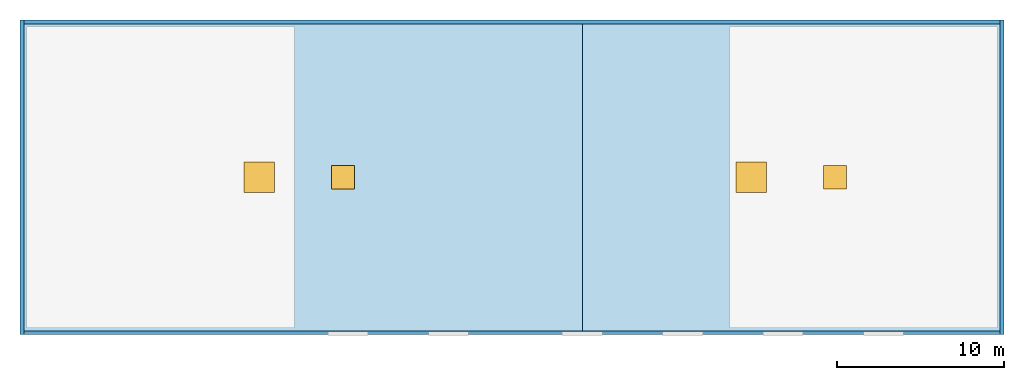
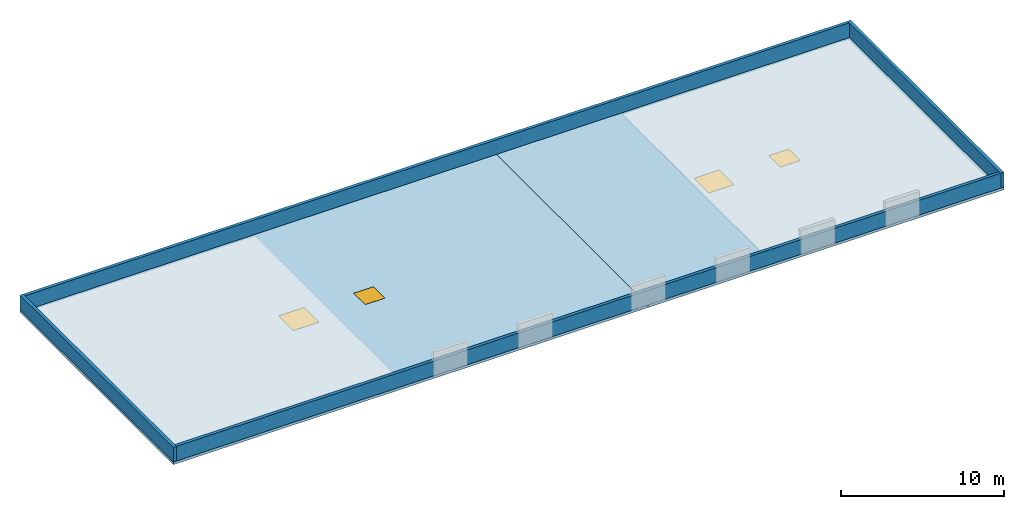
"""IFC4 building model written with IfcOpenShell, lengths in metres."""

from ifc_helpers import new_model, si_unit, direction, frame, frame_2d, origin, origin_2d, place, context, subcontext, project, spatial, polyline, rectangle, outline, extrude, material, layer, layer_set, type_object, element, fill, save


model = new_model("IFC4")

# Units and contexts
model_context = context("Model", 3, precision=1e-05, world=origin(), true_north=direction((0.0, 1.0)))
body_context = subcontext(model_context, "Body", "Model", "MODEL_VIEW")
ifc_project = project(units=[si_unit("LENGTHUNIT", "METRE"), si_unit("AREAUNIT", "SQUARE_METRE"), si_unit("VOLUMEUNIT", "CUBIC_METRE"), si_unit("PLANEANGLEUNIT", "RADIAN"), si_unit("MASSUNIT", "GRAM", prefix="KILO")], contexts=[model_context])

# Site, building, storey
site_placement = place(None, origin())
site = spatial("IfcSite", under=ifc_project, at=site_placement, CompositionType="ELEMENT")
building_placement = place(site_placement, origin())
building = spatial("IfcBuilding", under=site, at=building_placement, Name="Kenerak Square Central Library", CompositionType="ELEMENT")
storey_1_placement = place(building_placement, frame((0.0, 0.0, 32.320068359375)))
storey_1 = spatial("IfcBuildingStorey", under=building, at=storey_1_placement, Name="RF", CompositionType="ELEMENT", Elevation=32.320068359375)

# Slab, openings
ifc_material_1 = material(Name="Concrete C40/50", Category="concrete")
ifc_layer_1 = layer(ifc_material_1, 0.199951171875)
ifc_layer_set_1 = layer_set([ifc_layer_1], Name="Concrete C40/50")
slab_type = type_object("IfcSlabType", Name="Heavyweight Stack Flat Roof Slab RS-200 C40/50", PredefinedType="ROOF", material=ifc_layer_set_1)
slab_1_placement = place(storey_1_placement, frame((0.0, 0.0, -0.199951171875)))
slab_1 = element("IfcSlab", 1, at=slab_1_placement, inside=storey_1, type_object=slab_type, Name="Main Stack Roof Deck Panel RF-01", PredefinedType="ROOF", context=body_context, shape_type="SweptSolid", body=[
    extrude(outline(polyline([(58.39990234375, 91.60009765625), (92.0, 91.60009765625), (92.0, 110.39990234375), (58.39990234375, 110.39990234375), (58.39990234375, 91.60009765625)])), origin(), (0.0, 0.0, 1.0), 0.199951171875),
])
opening_1_placement = place(slab_1_placement, frame((72.699951171875, 101.0, 0.0)))
opening_1 = element("IfcOpeningElement", 2, at=opening_1_placement, cuts=slab_1, Name="Opening SK-01", PredefinedType="OPENING", context=body_context, shape_type="SweptSolid", body=[
    extrude(rectangle(XDim=1.800048828125, YDim=1.800048828125, at=origin_2d()), frame((0.0, 0.0, -0.010009765625)), (0.0, 0.0, 1.0), 0.219970703125),
])
opening_2_placement = place(slab_1_placement, frame((77.699951171875, 101.0, 0.0)))
opening_2 = element("IfcOpeningElement", 3, at=opening_2_placement, cuts=slab_1, Name="Opening SK-03", PredefinedType="OPENING", context=body_context, shape_type="SweptSolid", body=[
    extrude(rectangle(XDim=1.39990234375, YDim=1.39990234375, at=origin_2d()), frame((0.0, 0.0, -0.010009765625)), (0.0, 0.0, 1.0), 0.219970703125),
])

# Storey
storey_2_placement = place(building_placement, frame((0.0, 0.0, 27.840087890625)))
storey_2 = spatial("IfcBuildingStorey", under=building, at=storey_2_placement, Name="L06", CompositionType="ELEMENT", Elevation=27.840087890625)

# Window
ifc_material_2 = material(Name="Solar-control low-E laminated double glazing", Category="glass")
window_type_1 = type_object("IfcWindowType", Name="Flat Roof Daylight Skylight SK-01 1800x1800", PartitioningType="SINGLE_PANEL", PredefinedType="SKYLIGHT", material=ifc_material_2)
window_1_placement = place(opening_1_placement, frame((0.0, 0.0, 0.14990234375)))
window_1 = element("IfcWindow", 4, at=window_1_placement, inside=storey_2, type_object=window_type_1, Name="Roof Skylight 01", OverallHeight=1.800048828125, OverallWidth=1.800048828125, PartitioningType="SINGLE_PANEL", PredefinedType="SKYLIGHT", context=body_context, shape_type="SweptSolid", body=[
    extrude(rectangle(XDim=1.800048828125, YDim=1.800048828125, at=origin_2d()), origin(), (0.0, 0.0, 1.0), 0.050048828125),
])

fill(opening_1, window_1)

window_type_2 = type_object("IfcWindowType", Name="Smoke-Vent Curb Rooflight SK-03 1400x1400", PartitioningType="SINGLE_PANEL", PredefinedType="LIGHTDOME", material=ifc_material_2)
window_2_placement = place(opening_2_placement, frame((0.0, 0.0, 0.14990234375)))
window_2 = element("IfcWindow", 5, at=window_2_placement, inside=storey_2, type_object=window_type_2, Name="Smoke-Vent Rooflight 01", OverallHeight=1.39990234375, OverallWidth=1.39990234375, PartitioningType="SINGLE_PANEL", PredefinedType="LIGHTDOME", context=body_context, shape_type="SweptSolid", body=[
    extrude(rectangle(XDim=1.39990234375, YDim=1.39990234375, at=origin_2d()), origin(), (0.0, 0.0, 1.0), 0.050048828125),
])

fill(opening_2, window_2)

# Slab, openings, windows
slab_2_placement = place(storey_1_placement, frame((0.0, 0.0, -0.199951171875)))
slab_2 = element("IfcSlab", 6, at=slab_2_placement, inside=storey_1, type_object=slab_type, Name="Main Stack Roof Deck Panel RF-02", PredefinedType="ROOF", context=body_context, shape_type="SweptSolid", body=[
    extrude(outline(polyline([(92.0, 91.60009765625), (117.199951171875, 91.60009765625), (117.199951171875, 110.39990234375), (92.0, 110.39990234375), (92.0, 91.60009765625)])), origin(), (0.0, 0.0, 1.0), 0.199951171875),
])
opening_3_placement = place(slab_2_placement, frame((102.10009765625, 101.0, 0.0)))
opening_3 = element("IfcOpeningElement", 7, at=opening_3_placement, cuts=slab_2, Name="Opening SK-01", PredefinedType="OPENING", context=body_context, shape_type="SweptSolid", body=[
    extrude(rectangle(XDim=1.800048828125, YDim=1.800048828125, at=origin_2d()), frame((0.0, 0.0, -0.010009765625)), (0.0, 0.0, 1.0), 0.219970703125),
])
opening_4_placement = place(slab_2_placement, frame((107.10009765625, 101.0, 0.0)))
opening_4 = element("IfcOpeningElement", 8, at=opening_4_placement, cuts=slab_2, Name="Opening SK-03", PredefinedType="OPENING", context=body_context, shape_type="SweptSolid", body=[
    extrude(rectangle(XDim=1.39990234375, YDim=1.39990234375, at=origin_2d()), frame((0.0, 0.0, -0.010009765625)), (0.0, 0.0, 1.0), 0.219970703125),
])
window_3_placement = place(opening_3_placement, frame((0.0, 0.0, 0.14990234375)))
window_3 = element("IfcWindow", 9, at=window_3_placement, inside=storey_2, type_object=window_type_1, Name="Roof Skylight 02", OverallHeight=1.800048828125, OverallWidth=1.800048828125, PartitioningType="SINGLE_PANEL", PredefinedType="SKYLIGHT", context=body_context, shape_type="SweptSolid", body=[
    extrude(rectangle(XDim=1.800048828125, YDim=1.800048828125, at=origin_2d()), origin(), (0.0, 0.0, 1.0), 0.050048828125),
])
fill(opening_3, window_3)
window_4_placement = place(opening_4_placement, frame((0.0, 0.0, 0.14990234375)))
window_4 = element("IfcWindow", 10, at=window_4_placement, inside=storey_2, type_object=window_type_2, Name="Smoke-Vent Rooflight 02", OverallHeight=1.39990234375, OverallWidth=1.39990234375, PartitioningType="SINGLE_PANEL", PredefinedType="LIGHTDOME", context=body_context, shape_type="SweptSolid", body=[
    extrude(rectangle(XDim=1.39990234375, YDim=1.39990234375, at=origin_2d()), origin(), (0.0, 0.0, 1.0), 0.050048828125),
])
fill(opening_4, window_4)

# Walls
ifc_layer_2 = layer(ifc_material_1, 0.22509765625)
ifc_layer_set_2 = layer_set([ifc_layer_2], Name="Concrete C40/50")
wall_type = type_object("IfcWallType", Name="Roof Parapet Wall PW-225 C40/50", PredefinedType="PARAPET", material=ifc_layer_set_2)
for number, where, z_axis, x_axis, name in (
    (11, (58.512451171875, 91.60009765625, 0.0), (0.0, 0.0, 1.0), (0.0, 1.0, 0.0), "Core Wall PAR-RF-V5 RF West"),
    (12, (117.08740234375, 110.39990234375, 0.0), (0.0, 0.0, 1.0), (0.0, -1.0, 0.0), "Core Wall PAR-RF-V5 RF East"),
):
    element("IfcWall", number, at=place(storey_1_placement, frame(where, z_axis=z_axis, x_axis=x_axis)), inside=storey_1, type_object=wall_type, Name=name, PredefinedType="PARAPET", context=body_context, shape_type="SweptSolid", body=[
        extrude(rectangle(XDim=18.7998046875, YDim=0.22509765625, at=frame_2d((9.39990234375, 0.0))), origin(), (0.0, 0.0, 1.0), 1.099853515625),
    ])
for number, where, z_axis, x_axis, name in (
    (13, (116.97509765625, 91.71240234375, 0.0), (0.0, 0.0, 1.0), (-1.0, 0.0, 0.0), "Core Wall PAR-RF-V5 RF South"),
    (14, (58.625, 110.28759765625, 0.0), (0.0, 0.0, 1.0), (1.0, 0.0, 0.0), "Core Wall PAR-RF-V5 RF North"),
):
    element("IfcWall", number, at=place(storey_1_placement, frame(where, z_axis=z_axis, x_axis=x_axis)), inside=storey_1, type_object=wall_type, Name=name, PredefinedType="PARAPET", context=body_context, shape_type="SweptSolid", body=[
        extrude(rectangle(XDim=58.35009765625, YDim=0.22509765625, at=frame_2d((29.175048828125, 0.0))), origin(), (0.0, 0.0, 1.0), 1.099853515625),
    ])

save(model, "model.ifc")
